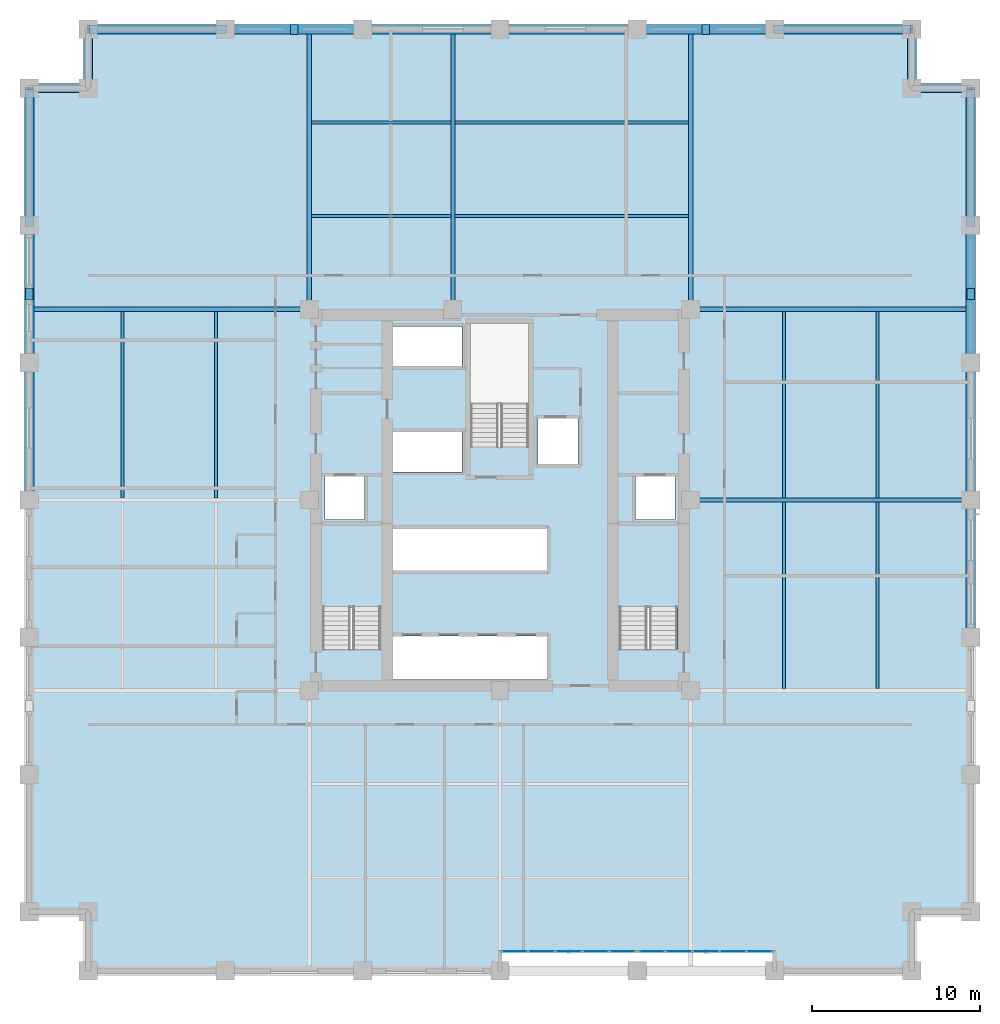
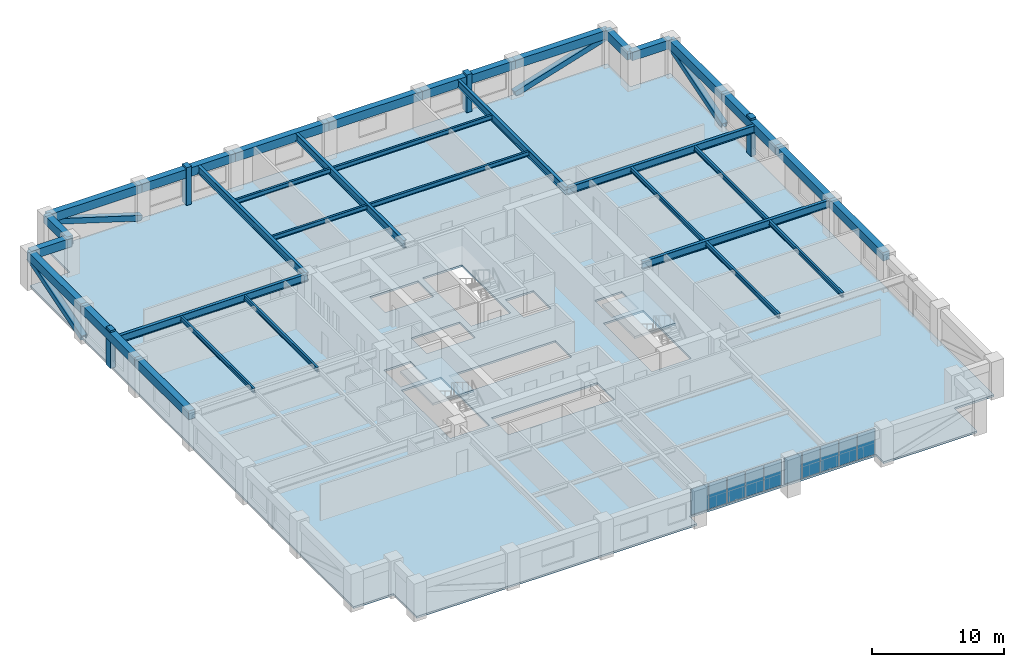
# One storey, part 5 of 13: 33 beams, 10 plates, 8 members, 3 slabs, 4 elements without a shape of their own.
"""IFC4 building model written with IfcOpenShell, lengths in metres."""

import ifcopenshell
import ifcopenshell.guid

model = None  # the IFC model being written
_history = None  # IfcOwnerHistory: only IFC2X3 demands one
_inside = {}  # id of a spatial element -> (the spatial element, [elements in it])
_under = {}  # id of a project, library or spatial element -> (it, [spatial elements below it])
_declared = {}  # id of a project -> (the project, [libraries it declares])
_typed = {}  # id of a type object -> (the type object, [elements of that type])
_made_of = {}  # id of a material, layer set ... -> (it, [elements and type objects made of it])


def new_model(schema):
    """Start an empty IFC model of exactly this schema.

    Asked for "IFC4X3", IfcOpenShell would pick the latest addendum, in which some entities
    have other attributes; the version numbers below select the first issue.
    IFC2X3 requires an IfcOwnerHistory on every rooted entity: one is made here for all.
    """
    global model, _history
    if schema == "IFC4X3":
        model = ifcopenshell.file(schema_version=(4, 3, 0, 0))
    else:
        model = ifcopenshell.file(schema=schema)
    _inside.clear()
    _under.clear()
    _declared.clear()
    _typed.clear()
    _made_of.clear()
    _history = None
    if model.schema == "IFC2X3":
        org = make("IfcOrganization", Name="unknown")
        user = make(
            "IfcPersonAndOrganization",
            ThePerson=make("IfcPerson", FamilyName="unknown"),
            TheOrganization=org,
        )
        app = make(
            "IfcApplication",
            ApplicationDeveloper=org,
            Version="unknown",
            ApplicationFullName="unknown",
            ApplicationIdentifier="unknown",
        )
        _history = make(
            "IfcOwnerHistory",
            OwningUser=user,
            OwningApplication=app,
            ChangeAction="ADDED",
            CreationDate=0,
        )
    return model


def make(cls, **values):
    """One entity of the class cls with the attributes given. An attribute that is None is left unset."""
    return model.create_entity(
        cls, **{name: value for name, value in values.items() if value is not None}
    )


def rooted(cls, **values):
    """An entity with a GlobalId (a new one), such as an element, a storey or a relation."""
    return make(cls, GlobalId=ifcopenshell.guid.new(), OwnerHistory=_history, **values)


def si_unit(unit_type, name, prefix=None):
    """IfcSIUnit, for example si_unit("LENGTHUNIT", "METRE", prefix="MILLI")."""
    return make("IfcSIUnit", UnitType=unit_type, Prefix=prefix, Name=name)


def assignment(units):
    """IfcUnitAssignment: the units of a project."""
    return None if units is None else make("IfcUnitAssignment", Units=units)


def point(xyz):
    """IfcCartesianPoint."""
    return None if xyz is None else make("IfcCartesianPoint", Coordinates=xyz)


def direction(xyz):
    """IfcDirection."""
    return None if xyz is None else make("IfcDirection", DirectionRatios=xyz)


def frame(location, z_axis=None, x_axis=None):
    """IfcAxis2Placement3D, a coordinate frame: its origin and axes. An axis left out is left unset."""
    return make(
        "IfcAxis2Placement3D",
        Location=point(location),
        Axis=direction(z_axis),
        RefDirection=direction(x_axis),
    )


def frame_2d(location, x_axis=None):
    """IfcAxis2Placement2D, a coordinate frame in the plane: its origin and x axis."""
    return make(
        "IfcAxis2Placement2D", Location=point(location), RefDirection=direction(x_axis)
    )


def origin():
    """The frame at (0, 0, 0) with its axes left unset."""
    return frame((0.0, 0.0, 0.0))


def origin_2d():
    """The frame at (0, 0) in the plane with its x axis left unset."""
    return frame_2d((0.0, 0.0))


def place(relative_to, where):
    """IfcLocalPlacement: puts the frame where relative to a parent placement (None: the world)."""
    return make(
        "IfcLocalPlacement", PlacementRelTo=relative_to, RelativePlacement=where
    )


def context(
    kind, dimensions, precision=None, world=None, true_north=None, identifier=None
):
    """IfcGeometricRepresentationContext, for example the 3D "Model" context."""
    return make(
        "IfcGeometricRepresentationContext",
        ContextIdentifier=identifier,
        ContextType=kind,
        CoordinateSpaceDimension=dimensions,
        Precision=precision,
        WorldCoordinateSystem=world,
        TrueNorth=true_north,
    )


def subcontext(parent, identifier, kind, view, scale=None):
    """IfcGeometricRepresentationSubContext, for example "Body" below "Model"."""
    return make(
        "IfcGeometricRepresentationSubContext",
        ContextIdentifier=identifier,
        ContextType=kind,
        ParentContext=parent,
        TargetScale=scale,
        TargetView=view,
    )


def project(units=None, contexts=None):
    """IfcProject with its units and contexts."""
    return rooted(
        "IfcProject",
        Name="project",
        RepresentationContexts=contexts,
        UnitsInContext=assignment(units),
    )


def spatial(cls, under=None, at=None, **own):
    """A site, building, storey or space (cls), placed at a placement, below another one or the project."""
    s = rooted(cls, ObjectPlacement=at, **own)
    if under is not None:
        _under.setdefault(under.id(), (under, []))[1].append(s)
    return s


def polyline(points):
    """IfcPolyline through the points."""
    return make("IfcPolyline", Points=[point(p) for p in points])


def profile(cls, at=None, kind="AREA", **sizes):
    """A parametric profile (cls). Its sizes go by their IFC names, for example OverallWidth=200.0."""
    return make(cls, ProfileType=kind, Position=at, **sizes)


def rectangle(**sizes):
    """IfcRectangleProfileDef."""
    return profile("IfcRectangleProfileDef", **sizes)


def hollow_rectangle(**sizes):
    """IfcRectangleHollowProfileDef."""
    return profile("IfcRectangleHollowProfileDef", **sizes)


def i_section(**sizes):
    """IfcIShapeProfileDef."""
    return profile("IfcIShapeProfileDef", **sizes)


def outline(outer, holes=None, kind="AREA"):
    """IfcArbitraryClosedProfileDef: a profile drawn as a closed curve; with holes, ...WithVoids."""
    if holes is None:
        return make("IfcArbitraryClosedProfileDef", ProfileType=kind, OuterCurve=outer)
    return make(
        "IfcArbitraryProfileDefWithVoids",
        ProfileType=kind,
        OuterCurve=outer,
        InnerCurves=holes,
    )


def extrude(swept, where, along, depth):
    """IfcExtrudedAreaSolid: the profile swept, set in the frame where, extruded along a direction by depth."""
    return make(
        "IfcExtrudedAreaSolid",
        SweptArea=swept,
        Position=where,
        ExtrudedDirection=direction(along),
        Depth=depth,
    )


def shape(context_of_items, identifier, shape_type, items):
    """IfcShapeRepresentation: the items that make up one representation, for example the "Body"."""
    return make(
        "IfcShapeRepresentation",
        ContextOfItems=context_of_items,
        RepresentationIdentifier=identifier,
        RepresentationType=shape_type,
        Items=items,
    )


def material(Name=None, Category=None):
    """IfcMaterial."""
    return make("IfcMaterial", Name=Name, Category=Category)


def layer(
    of_material, thickness, ventilated=None, Name=None, Category=None, Priority=None
):
    """IfcMaterialLayer: one layer of a wall or slab, of a material (None: an air gap)."""
    return make(
        "IfcMaterialLayer",
        Material=of_material,
        LayerThickness=thickness,
        IsVentilated=ventilated,
        Name=Name,
        Category=Category,
        Priority=Priority,
    )


def layer_set(layers, Name=None):
    """IfcMaterialLayerSet."""
    return make("IfcMaterialLayerSet", MaterialLayers=layers, LayerSetName=Name)


def material_profile(
    of_material, cross_section, Name=None, Category=None, Priority=None
):
    """IfcMaterialProfile: a cross section and its material."""
    return make(
        "IfcMaterialProfile",
        Name=Name,
        Material=of_material,
        Profile=cross_section,
        Priority=Priority,
        Category=Category,
    )


def profile_set(profiles, Name=None, composite=None):
    """IfcMaterialProfileSet."""
    return make(
        "IfcMaterialProfileSet",
        Name=Name,
        MaterialProfiles=profiles,
        CompositeProfile=composite,
    )


def made_of(thing, what):
    """Note that an element or type object is made of a material, layer set ...; save() writes the relation."""
    if what is not None:
        _made_of.setdefault(what.id(), (what, []))[1].append(thing)
    return thing


def type_object(cls, material=None, **own):
    """A type object (cls), such as IfcWallType, which elements share."""
    return made_of(rooted(cls, **own), material)


def element(
    cls,
    number,
    at=None,
    inside=None,
    cuts=None,
    type_object=None,
    material=None,
    context=None,
    identifier="Body",
    shape_type=None,
    held_by="IfcProductDefinitionShape",
    body=None,
    shapes=None,
    **own,
):
    """One element of the class cls, such as IfcWall. Its Tag is "e" and its number.

    at: its placement. inside: the storey or other place that contains it. cuts: it is an
    opening in that element (IfcRelVoidsElement). A single representation is given by context,
    identifier, shape_type and body (its items); several are given by shapes. held_by: the class
    of the entity that holds the representations. save() writes the other relations.
    """
    e = rooted(cls, Tag="e%d" % number, ObjectPlacement=at, **own)
    if body is not None:
        shapes = [shape(context, identifier, shape_type, body)]
    if shapes is not None:
        e.Representation = make(held_by, Representations=shapes)
    if inside is not None:
        _inside.setdefault(inside.id(), (inside, []))[1].append(e)
    if cuts is not None:
        rooted(
            "IfcRelVoidsElement", RelatingBuildingElement=cuts, RelatedOpeningElement=e
        )
    if type_object is not None:
        _typed.setdefault(type_object.id(), (type_object, []))[1].append(e)
    return made_of(e, material)


def aggregate(whole, parts):
    """IfcRelAggregates: a whole, such as a stair, and the parts it consists of."""
    return rooted("IfcRelAggregates", RelatingObject=whole, RelatedObjects=parts)


def save(model, path):
    """Write the relations noted so far, then the file.

    IfcRelAggregates (storeys below a building ...), IfcRelContainedInSpatialStructure (elements
    in a storey), IfcRelDefinesByType, IfcRelAssociatesMaterial and IfcRelDeclares: one each for
    every whole, place, type object, material and project.
    """
    for whole, parts in _under.values():
        aggregate(whole, parts)
    for where, things in _inside.values():
        rooted(
            "IfcRelContainedInSpatialStructure",
            RelatedElements=things,
            RelatingStructure=where,
        )
    for kind, things in _typed.values():
        rooted("IfcRelDefinesByType", RelatedObjects=things, RelatingType=kind)
    for what, things in _made_of.values():
        rooted("IfcRelAssociatesMaterial", RelatedObjects=things, RelatingMaterial=what)
    for by, libraries in _declared.values():
        rooted("IfcRelDeclares", RelatingContext=by, RelatedDefinitions=libraries)
    model.write(path)


model = new_model("IFC4")

# Units and contexts
model_context = context("Model", 3, precision=1e-05, world=origin(), true_north=direction((0.0, 1.0)))
body_context = subcontext(model_context, "Body", "Model", "MODEL_VIEW")
ifc_project = project(units=[si_unit("LENGTHUNIT", "METRE"), si_unit("AREAUNIT", "SQUARE_METRE"), si_unit("VOLUMEUNIT", "CUBIC_METRE"), si_unit("PLANEANGLEUNIT", "RADIAN"), si_unit("MASSUNIT", "GRAM", prefix="KILO")], contexts=[model_context])

# Site, building, storey
site_placement = place(None, origin())
site = spatial("IfcSite", under=ifc_project, at=site_placement, CompositionType="ELEMENT")
building_placement = place(site_placement, origin())
building = spatial("IfcBuilding", under=site, at=building_placement, Name="Nhamokura Convention Tower", CompositionType="ELEMENT")
storey_placement = place(building_placement, frame((0.0, 0.0, 63.35009765625)))
storey = spatial("IfcBuildingStorey", under=building, at=storey_placement, Name="L14", CompositionType="ELEMENT", Elevation=63.35009765625)

# Members
ifc_material_1 = material(Name="Bronze-pigmented precast concrete C45/55", Category="concrete")
ifc_material_profile_1 = material_profile(ifc_material_1, rectangle(XDim=0.449951171875, YDim=0.64990234375, at=origin_2d()))
ifc_profile_set_1 = profile_set([ifc_material_profile_1], Name="Bronze-pigmented precast concrete C45/55")
member_type_1 = type_object("IfcMemberType", Name="BronzePilaster_650", PredefinedType="USERDEFINED", material=ifc_profile_set_1)
for number, where, z_axis, x_axis, name in (
    (1, (19.75, 60.0, 0.0), (0.0, 0.0, 1.0), (1.0, 0.0, 0.0), "L14 Engaged Frame Pilaster NORTH 1"),
    (2, (44.25, 60.0, 0.0), (0.0, 0.0, 1.0), (1.0, 0.0, 0.0), "L14 Engaged Frame Pilaster NORTH 4"),
    (3, (4.0, 44.25, 0.0), (0.0, 0.0, 1.0), (1.0, 0.0, 0.0), "L14 Engaged Frame Pilaster WEST 4"),
    (4, (60.0, 44.25, 0.0), (0.0, 0.0, 1.0), (1.0, 0.0, 0.0), "L14 Engaged Frame Pilaster EAST 4"),
):
    element("IfcMember", number, at=place(storey_placement, frame(where, z_axis=z_axis, x_axis=x_axis)), inside=storey, type_object=member_type_1, Name=name, ObjectType="PILASTER_TRIM", PredefinedType="USERDEFINED", context=body_context, shape_type="SweptSolid", body=[
        extrude(rectangle(XDim=0.449951171875, YDim=0.64990234375, at=origin_2d()), origin(), (0.0, 0.0, 1.0), 3.5),
    ])

# Beams
ifc_material_2 = material(Name="Steel ASTM A992 Gr 50", Category="steel")
ifc_material_profile_2 = material_profile(ifc_material_2, i_section(OverallWidth=0.178955078125, OverallDepth=0.409912109375, WebThickness=0.0087890625, FlangeThickness=0.014404296875, at=origin_2d()))
ifc_profile_set_2 = profile_set([ifc_material_profile_2], Name="Steel ASTM A992 Gr 50")
beam_type_1 = type_object("IfcBeamType", Name="FloorJoist_W410X67", PredefinedType="JOIST", material=ifc_profile_set_2)
beam_1_placement = place(storey_placement, frame((20.77587890625, 48.89990234375, 3.114990234375), z_axis=(1.0, 0.0, 0.0), x_axis=(0.0, 1.0, 0.0)))
element("IfcBeam", 5, at=beam_1_placement, inside=storey, type_object=beam_type_1, Name="L14 Composite Floor Joist N1A", PredefinedType="JOIST", context=body_context, shape_type="SweptSolid", body=[
    extrude(i_section(OverallWidth=0.178955078125, OverallDepth=0.409912109375, WebThickness=0.0087890625, FlangeThickness=0.014404296875, at=origin_2d()), origin(), (0.0, 0.0, 1.0), 8.298095703125),
])
beam_2_placement = place(storey_placement, frame((29.325927734375, 48.89990234375, 3.114990234375), z_axis=(1.0, 0.0, 0.0), x_axis=(0.0, 1.0, 0.0)))
element("IfcBeam", 6, at=beam_2_placement, inside=storey, type_object=beam_type_1, Name="L14 Composite Floor Joist N1B", PredefinedType="JOIST", context=body_context, shape_type="SweptSolid", body=[
    extrude(i_section(OverallWidth=0.178955078125, OverallDepth=0.409912109375, WebThickness=0.0087890625, FlangeThickness=0.014404296875, at=origin_2d()), origin(), (0.0, 0.0, 1.0), 13.898193359375),
])
beam_3_placement = place(storey_placement, frame((20.77587890625, 54.449951171875, 3.114990234375), z_axis=(1.0, 0.0, 0.0), x_axis=(0.0, 1.0, 0.0)))
element("IfcBeam", 7, at=beam_3_placement, inside=storey, type_object=beam_type_1, Name="L14 Composite Floor Joist N2A", PredefinedType="JOIST", context=body_context, shape_type="SweptSolid", body=[
    extrude(i_section(OverallWidth=0.178955078125, OverallDepth=0.409912109375, WebThickness=0.0087890625, FlangeThickness=0.014404296875, at=origin_2d()), origin(), (0.0, 0.0, 1.0), 8.298095703125),
])
beam_4_placement = place(storey_placement, frame((29.325927734375, 54.449951171875, 3.114990234375), z_axis=(1.0, 0.0, 0.0), x_axis=(0.0, 1.0, 0.0)))
element("IfcBeam", 8, at=beam_4_placement, inside=storey, type_object=beam_type_1, Name="L14 Composite Floor Joist N2B", PredefinedType="JOIST", context=body_context, shape_type="SweptSolid", body=[
    extrude(i_section(OverallWidth=0.178955078125, OverallDepth=0.409912109375, WebThickness=0.0087890625, FlangeThickness=0.014404296875, at=origin_2d()), origin(), (0.0, 0.0, 1.0), 13.898193359375),
])
for number, where, z_axis, x_axis, name in (
    (9, (9.550048828125, 32.1259765625, 3.114990234375), (0.0, 1.0, 0.0), (-1.0, 0.0, 0.0), "L14 Composite Floor Joist W1B"),
    (10, (15.10009765625, 32.1259765625, 3.114990234375), (0.0, 1.0, 0.0), (-1.0, 0.0, 0.0), "L14 Composite Floor Joist W2B"),
    (11, (48.89990234375, 20.77587890625, 3.114990234375), (0.0, 1.0, 0.0), (-1.0, 0.0, 0.0), "L14 Composite Floor Joist E1A"),
    (12, (48.89990234375, 32.1259765625, 3.114990234375), (0.0, 1.0, 0.0), (-1.0, 0.0, 0.0), "L14 Composite Floor Joist E1B"),
    (13, (54.449951171875, 20.77587890625, 3.114990234375), (0.0, 1.0, 0.0), (-1.0, 0.0, 0.0), "L14 Composite Floor Joist E2A"),
    (14, (54.449951171875, 32.1259765625, 3.114990234375), (0.0, 1.0, 0.0), (-1.0, 0.0, 0.0), "L14 Composite Floor Joist E2B"),
):
    element("IfcBeam", number, at=place(storey_placement, frame(where, z_axis=z_axis, x_axis=x_axis)), inside=storey, type_object=beam_type_1, Name=name, PredefinedType="JOIST", context=body_context, shape_type="SweptSolid", body=[
        extrude(i_section(OverallWidth=0.178955078125, OverallDepth=0.409912109375, WebThickness=0.0087890625, FlangeThickness=0.014404296875, at=origin_2d()), origin(), (0.0, 0.0, 1.0), 11.09814453125),
    ])
ifc_material_3 = material(Name="Steel ASTM A992 Gr 50", Category="steel")
ifc_material_profile_3 = material_profile(ifc_material_3, i_section(OverallWidth=0.256103515625, OverallDepth=0.693115234375, WebThickness=0.014404296875, FlangeThickness=0.023681640625, at=origin_2d()))
ifc_profile_set_3 = profile_set([ifc_material_profile_3], Name="Steel ASTM A992 Gr 50")
beam_type_2 = type_object("IfcBeamType", Name="PrimaryGirder_W690X170", PredefinedType="BEAM", material=ifc_profile_set_3)
for number, where, z_axis, x_axis, name in (
    (15, (20.64990234375, 43.35009765625, 2.973388671875), (0.0, 1.0, 0.0), (-1.0, 0.0, 0.0), "L14 Primary Floor Girder PG-N1"),
    (16, (29.199951171875, 43.35009765625, 2.973388671875), (0.0, 1.0, 0.0), (-1.0, 0.0, 0.0), "L14 Primary Floor Girder PG-N2"),
    (17, (43.35009765625, 43.35009765625, 2.973388671875), (0.0, 1.0, 0.0), (-1.0, 0.0, 0.0), "L14 Primary Floor Girder PG-N3"),
    (18, (4.0, 43.35009765625, 2.973388671875), (1.0, 0.0, 0.0), (0.0, 1.0, 0.0), "L14 Primary Floor Girder PG-W3"),
    (19, (43.35009765625, 32.0, 2.973388671875), (1.0, 0.0, 0.0), (0.0, 1.0, 0.0), "L14 Primary Floor Girder PG-E2"),
    (20, (43.35009765625, 43.35009765625, 2.973388671875), (1.0, 0.0, 0.0), (0.0, 1.0, 0.0), "L14 Primary Floor Girder PG-E3"),
):
    element("IfcBeam", number, at=place(storey_placement, frame(where, z_axis=z_axis, x_axis=x_axis)), inside=storey, type_object=beam_type_2, Name=name, PredefinedType="BEAM", context=body_context, shape_type="SweptSolid", body=[
        extrude(i_section(OverallWidth=0.256103515625, OverallDepth=0.693115234375, WebThickness=0.014404296875, FlangeThickness=0.023681640625, at=origin_2d()), origin(), (0.0, 0.0, 1.0), 16.64990234375),
    ])

# Members
ifc_material_4 = material(Name="Steel ASTM A572 Gr 50", Category="steel")
ifc_material_profile_4 = material_profile(ifc_material_4, hollow_rectangle(XDim=0.5, YDim=0.5, WallThickness=0.02490234375, at=origin_2d()))
ifc_profile_set_4 = profile_set([ifc_material_profile_4], Name="Steel ASTM A572 Gr 50")
member_type_2 = type_object("IfcMemberType", Name="TubeBrace_HSS500", PredefinedType="BRACE", material=ifc_profile_set_4)
for number, where, z_axis, x_axis, name in (
    (21, (15.666748046875, 60.0, 0.14990234375), (-0.955542765986, 0.0, 0.294852543437), (0.0, -1.0, 0.0), "L14 Perimeter Tube Brace NORTH Bay 0"),
    (22, (48.333251953125, 60.0, 0.14990234375), (0.955542765986, 0.0, 0.294852543437), (0.0, 1.0, 0.0), "L14 Perimeter Tube Brace NORTH Bay 5"),
    (23, (4.0, 48.333251953125, 0.14990234375), (0.0, 0.955542765986, 0.294852543437), (-1.0, 0.0, 0.0), "L14 Perimeter Tube Brace WEST Bay 5"),
    (24, (60.0, 48.333251953125, 0.14990234375), (0.0, 0.955542765986, 0.294852543437), (-1.0, 0.0, 0.0), "L14 Perimeter Tube Brace EAST Bay 5"),
):
    element("IfcMember", number, at=place(storey_placement, frame(where, z_axis=z_axis, x_axis=x_axis)), inside=storey, type_object=member_type_2, Name=name, PredefinedType="BRACE", context=body_context, shape_type="SweptSolid", body=[
        extrude(hollow_rectangle(XDim=0.5, YDim=0.5, WallThickness=0.02490234375, at=origin_2d()), origin(), (0.0, 0.0, 1.0), 8.546630859375),
    ])

# Beams
ifc_material_5 = material(Name="Concrete C50/60", Category="concrete")
ifc_material_profile_5 = material_profile(ifc_material_5, rectangle(XDim=0.550048828125, YDim=0.800048828125, at=origin_2d()))
ifc_profile_set_5 = profile_set([ifc_material_profile_5], Name="Concrete C50/60")
beam_type_3 = type_object("IfcBeamType", Name="TubeSpandrel_800", PredefinedType="SPANDREL", material=ifc_profile_set_5)
beam_5_placement = place(storey_placement, frame((7.5, 60.0, 2.919921875), z_axis=(1.0, 0.0, 0.0), x_axis=(0.0, 1.0, 0.0)))
element("IfcBeam", 25, at=beam_5_placement, inside=storey, type_object=beam_type_3, Name="L14 Perimeter Spandrel NORTH 1", PredefinedType="SPANDREL", context=body_context, shape_type="SweptSolid", body=[
    extrude(rectangle(XDim=0.550048828125, YDim=0.800048828125, at=origin_2d()), origin(), (0.0, 0.0, 1.0), 8.166748046875),
])
beam_6_placement = place(storey_placement, frame((15.666748046875, 60.0, 2.919921875), z_axis=(1.0, 0.0, 0.0), x_axis=(0.0, 1.0, 0.0)))
element("IfcBeam", 26, at=beam_6_placement, inside=storey, type_object=beam_type_3, Name="L14 Perimeter Spandrel NORTH 2", PredefinedType="SPANDREL", context=body_context, shape_type="SweptSolid", body=[
    extrude(rectangle(XDim=0.550048828125, YDim=0.800048828125, at=origin_2d()), origin(), (0.0, 0.0, 1.0), 8.16650390625),
])
for number, where, z_axis, x_axis, name in (
    (27, (23.833251953125, 60.0, 2.919921875), (1.0, 0.0, 0.0), (0.0, 1.0, 0.0), "L14 Perimeter Spandrel NORTH 3"),
    (28, (32.0, 60.0, 2.919921875), (1.0, 0.0, 0.0), (0.0, 1.0, 0.0), "L14 Perimeter Spandrel NORTH 4"),
):
    element("IfcBeam", number, at=place(storey_placement, frame(where, z_axis=z_axis, x_axis=x_axis)), inside=storey, type_object=beam_type_3, Name=name, PredefinedType="SPANDREL", context=body_context, shape_type="SweptSolid", body=[
        extrude(rectangle(XDim=0.550048828125, YDim=0.800048828125, at=origin_2d()), origin(), (0.0, 0.0, 1.0), 8.166748046875),
    ])
beam_7_placement = place(storey_placement, frame((40.166748046875, 60.0, 2.919921875), z_axis=(1.0, 0.0, 0.0), x_axis=(0.0, 1.0, 0.0)))
element("IfcBeam", 29, at=beam_7_placement, inside=storey, type_object=beam_type_3, Name="L14 Perimeter Spandrel NORTH 5", PredefinedType="SPANDREL", context=body_context, shape_type="SweptSolid", body=[
    extrude(rectangle(XDim=0.550048828125, YDim=0.800048828125, at=origin_2d()), origin(), (0.0, 0.0, 1.0), 8.16650390625),
])
for number, where, z_axis, x_axis, name in (
    (30, (48.333251953125, 60.0, 2.919921875), (1.0, 0.0, 0.0), (0.0, 1.0, 0.0), "L14 Perimeter Spandrel NORTH 6"),
    (31, (4.0, 32.0, 2.919921875), (0.0, 1.0, 0.0), (-1.0, 0.0, 0.0), "L14 Perimeter Spandrel WEST 4"),
):
    element("IfcBeam", number, at=place(storey_placement, frame(where, z_axis=z_axis, x_axis=x_axis)), inside=storey, type_object=beam_type_3, Name=name, PredefinedType="SPANDREL", context=body_context, shape_type="SweptSolid", body=[
        extrude(rectangle(XDim=0.550048828125, YDim=0.800048828125, at=origin_2d()), origin(), (0.0, 0.0, 1.0), 8.166748046875),
    ])
beam_8_placement = place(storey_placement, frame((4.0, 40.166748046875, 2.919921875), z_axis=(0.0, 1.0, 0.0), x_axis=(-1.0, 0.0, 0.0)))
element("IfcBeam", 32, at=beam_8_placement, inside=storey, type_object=beam_type_3, Name="L14 Perimeter Spandrel WEST 5", PredefinedType="SPANDREL", context=body_context, shape_type="SweptSolid", body=[
    extrude(rectangle(XDim=0.550048828125, YDim=0.800048828125, at=origin_2d()), origin(), (0.0, 0.0, 1.0), 8.16650390625),
])
for number, where, z_axis, x_axis, name in (
    (33, (4.0, 48.333251953125, 2.919921875), (0.0, 1.0, 0.0), (-1.0, 0.0, 0.0), "L14 Perimeter Spandrel WEST 6"),
    (34, (60.0, 23.833251953125, 2.919921875), (0.0, 1.0, 0.0), (-1.0, 0.0, 0.0), "L14 Perimeter Spandrel EAST 3"),
    (35, (60.0, 32.0, 2.919921875), (0.0, 1.0, 0.0), (-1.0, 0.0, 0.0), "L14 Perimeter Spandrel EAST 4"),
):
    element("IfcBeam", number, at=place(storey_placement, frame(where, z_axis=z_axis, x_axis=x_axis)), inside=storey, type_object=beam_type_3, Name=name, PredefinedType="SPANDREL", context=body_context, shape_type="SweptSolid", body=[
        extrude(rectangle(XDim=0.550048828125, YDim=0.800048828125, at=origin_2d()), origin(), (0.0, 0.0, 1.0), 8.166748046875),
    ])
beam_9_placement = place(storey_placement, frame((60.0, 40.166748046875, 2.919921875), z_axis=(0.0, 1.0, 0.0), x_axis=(-1.0, 0.0, 0.0)))
element("IfcBeam", 36, at=beam_9_placement, inside=storey, type_object=beam_type_3, Name="L14 Perimeter Spandrel EAST 5", PredefinedType="SPANDREL", context=body_context, shape_type="SweptSolid", body=[
    extrude(rectangle(XDim=0.550048828125, YDim=0.800048828125, at=origin_2d()), origin(), (0.0, 0.0, 1.0), 8.16650390625),
])
beam_10_placement = place(storey_placement, frame((60.0, 48.333251953125, 2.919921875), z_axis=(0.0, 1.0, 0.0), x_axis=(-1.0, 0.0, 0.0)))
element("IfcBeam", 37, at=beam_10_placement, inside=storey, type_object=beam_type_3, Name="L14 Perimeter Spandrel EAST 6", PredefinedType="SPANDREL", context=body_context, shape_type="SweptSolid", body=[
    extrude(rectangle(XDim=0.550048828125, YDim=0.800048828125, at=origin_2d()), origin(), (0.0, 0.0, 1.0), 8.166748046875),
])
for number, where, z_axis, x_axis, name in (
    (38, (60.0, 56.5, 2.919921875), (-1.0, 0.0, 0.0), (0.0, -1.0, 0.0), "L14 Notch Spandrel NE1"),
    (39, (56.5, 56.5, 2.919921875), (0.0, 1.0, 0.0), (-1.0, 0.0, 0.0), "L14 Notch Spandrel NE2"),
    (40, (7.5, 60.0, 2.919921875), (0.0, -1.0, 0.0), (1.0, 0.0, 0.0), "L14 Notch Spandrel NW1"),
    (41, (7.5, 56.5, 2.919921875), (-1.0, 0.0, 0.0), (0.0, -1.0, 0.0), "L14 Notch Spandrel NW2"),
):
    element("IfcBeam", number, at=place(storey_placement, frame(where, z_axis=z_axis, x_axis=x_axis)), inside=storey, type_object=beam_type_3, Name=name, PredefinedType="SPANDREL", context=body_context, shape_type="SweptSolid", body=[
        extrude(rectangle(XDim=0.550048828125, YDim=0.800048828125, at=origin_2d()), origin(), (0.0, 0.0, 1.0), 3.5),
    ])

# Curtain wall, plates
ifc_material_6 = material(Name="Anodised bronze aluminium AA6063-T6", Category="aluminium")
ifc_layer_1 = layer(ifc_material_6, 0.1650390625)
ifc_layer_set_1 = layer_set([ifc_layer_1], Name="CWSystem_ScaleSlot_Zone1")
curtain_wall_type = type_object("IfcCurtainWallType", Name="CWSystem_ScaleSlot_Zone1", PredefinedType="NOTDEFINED", material=ifc_layer_set_1)
curtain_wall_1_placement = place(storey_placement, origin())
curtain_wall_1 = element("IfcCurtainWall", 42, at=curtain_wall_1_placement, inside=storey, type_object=curtain_wall_type, Name="L14 Curtain Wall ENV-L14-SLOT-S3", PredefinedType="NOTDEFINED")
ifc_material_7 = material(Name="Solar-control bronze low-E double glass", Category="glass")
ifc_layer_2 = layer(ifc_material_7, 0.031982421875)
ifc_layer_set_2 = layer_set([ifc_layer_2], Name="CWGlazedPanel_1")
plate_type = type_object("IfcPlateType", Name="CWGlazedPanel_1", PredefinedType="CURTAIN_PANEL", material=ifc_layer_set_2)
plate_1_placement = place(storey_placement, frame((39.285888671875, 5.14990234375, 0.06494140625), z_axis=(0.0, 0.0, 1.0), x_axis=(-1.0, 0.0, 0.0)))
plate_1 = element("IfcPlate", 43, at=plate_1_placement, type_object=plate_type, Name="CW-03 panel 1.1", PredefinedType="CURTAIN_PANEL", context=body_context, shape_type="SweptSolid", body=[
    extrude(rectangle(XDim=1.51171875, YDim=0.031982421875, at=origin_2d()), origin(), (0.0, 0.0, 1.0), 2.389892578125),
])
plate_2_placement = place(storey_placement, frame((37.692626953125, 5.14990234375, 0.06494140625), z_axis=(0.0, 0.0, 1.0), x_axis=(-1.0, 0.0, 0.0)))
plate_2 = element("IfcPlate", 44, at=plate_2_placement, type_object=plate_type, Name="CW-03 panel 2.1", PredefinedType="CURTAIN_PANEL", context=body_context, shape_type="SweptSolid", body=[
    extrude(rectangle(XDim=1.54443359375, YDim=0.031982421875, at=origin_2d()), origin(), (0.0, 0.0, 1.0), 2.389892578125),
])
plate_3_placement = place(storey_placement, frame((36.083251953125, 5.14990234375, 0.06494140625), z_axis=(0.0, 0.0, 1.0), x_axis=(-1.0, 0.0, 0.0)))
plate_3 = element("IfcPlate", 45, at=plate_3_placement, type_object=plate_type, Name="CW-03 panel 3.1", PredefinedType="CURTAIN_PANEL", context=body_context, shape_type="SweptSolid", body=[
    extrude(rectangle(XDim=1.54443359375, YDim=0.031982421875, at=origin_2d()), origin(), (0.0, 0.0, 1.0), 2.389892578125),
])
plate_4_placement = place(storey_placement, frame((34.47412109375, 5.14990234375, 0.06494140625), z_axis=(0.0, 0.0, 1.0), x_axis=(-1.0, 0.0, 0.0)))
plate_4 = element("IfcPlate", 46, at=plate_4_placement, type_object=plate_type, Name="CW-03 panel 4.1", PredefinedType="CURTAIN_PANEL", context=body_context, shape_type="SweptSolid", body=[
    extrude(rectangle(XDim=1.54443359375, YDim=0.031982421875, at=origin_2d()), origin(), (0.0, 0.0, 1.0), 2.389892578125),
])
plate_5_placement = place(storey_placement, frame((32.880859375, 5.14990234375, 0.06494140625), z_axis=(0.0, 0.0, 1.0), x_axis=(-1.0, 0.0, 0.0)))
plate_5 = element("IfcPlate", 47, at=plate_5_placement, type_object=plate_type, Name="CW-03 panel 5.1", PredefinedType="CURTAIN_PANEL", context=body_context, shape_type="SweptSolid", body=[
    extrude(rectangle(XDim=1.51171875, YDim=0.031982421875, at=origin_2d()), origin(), (0.0, 0.0, 1.0), 2.389892578125),
])
aggregate(curtain_wall_1, [plate_1, plate_2, plate_3, plate_4, plate_5])

curtain_wall_2_placement = place(storey_placement, origin())
curtain_wall_2 = element("IfcCurtainWall", 48, at=curtain_wall_2_placement, inside=storey, type_object=curtain_wall_type, Name="L14 Curtain Wall ENV-L14-SLOT-S4", PredefinedType="NOTDEFINED")
plate_6_placement = place(storey_placement, frame((47.452392578125, 5.14990234375, 0.06494140625), z_axis=(0.0, 0.0, 1.0), x_axis=(-1.0, 0.0, 0.0)))
plate_6 = element("IfcPlate", 49, at=plate_6_placement, type_object=plate_type, Name="CW-03 panel 1.1", PredefinedType="CURTAIN_PANEL", context=body_context, shape_type="SweptSolid", body=[
    extrude(rectangle(XDim=1.51171875, YDim=0.031982421875, at=origin_2d()), origin(), (0.0, 0.0, 1.0), 2.389892578125),
])
plate_7_placement = place(storey_placement, frame((45.859375, 5.14990234375, 0.06494140625), z_axis=(0.0, 0.0, 1.0), x_axis=(-1.0, 0.0, 0.0)))
plate_7 = element("IfcPlate", 50, at=plate_7_placement, type_object=plate_type, Name="CW-03 panel 2.1", PredefinedType="CURTAIN_PANEL", context=body_context, shape_type="SweptSolid", body=[
    extrude(rectangle(XDim=1.54443359375, YDim=0.031982421875, at=origin_2d()), origin(), (0.0, 0.0, 1.0), 2.389892578125),
])
plate_8_placement = place(storey_placement, frame((44.25, 5.14990234375, 0.06494140625), z_axis=(0.0, 0.0, 1.0), x_axis=(-1.0, 0.0, 0.0)))
plate_8 = element("IfcPlate", 51, at=plate_8_placement, type_object=plate_type, Name="CW-03 panel 3.1", PredefinedType="CURTAIN_PANEL", context=body_context, shape_type="SweptSolid", body=[
    extrude(rectangle(XDim=1.54443359375, YDim=0.031982421875, at=origin_2d()), origin(), (0.0, 0.0, 1.0), 2.389892578125),
])
plate_9_placement = place(storey_placement, frame((42.640625, 5.14990234375, 0.06494140625), z_axis=(0.0, 0.0, 1.0), x_axis=(-1.0, 0.0, 0.0)))
plate_9 = element("IfcPlate", 52, at=plate_9_placement, type_object=plate_type, Name="CW-03 panel 4.1", PredefinedType="CURTAIN_PANEL", context=body_context, shape_type="SweptSolid", body=[
    extrude(rectangle(XDim=1.54443359375, YDim=0.031982421875, at=origin_2d()), origin(), (0.0, 0.0, 1.0), 2.389892578125),
])
plate_10_placement = place(storey_placement, frame((41.047607421875, 5.14990234375, 0.06494140625), z_axis=(0.0, 0.0, 1.0), x_axis=(-1.0, 0.0, 0.0)))
plate_10 = element("IfcPlate", 53, at=plate_10_placement, type_object=plate_type, Name="CW-03 panel 5.1", PredefinedType="CURTAIN_PANEL", context=body_context, shape_type="SweptSolid", body=[
    extrude(rectangle(XDim=1.51171875, YDim=0.031982421875, at=origin_2d()), origin(), (0.0, 0.0, 1.0), 2.389892578125),
])
aggregate(curtain_wall_2, [plate_6, plate_7, plate_8, plate_9, plate_10])

# Slab
ifc_material_8 = material(Name="Concrete C40/50", Category="concrete")
ifc_layer_3 = layer(ifc_material_8, 0.179931640625)
ifc_layer_set_3 = layer_set([ifc_layer_3], Name="HotelFloorSlab_180")
slab_type_1 = type_object("IfcSlabType", Name="HotelFloorSlab_180", PredefinedType="FLOOR", material=ifc_layer_set_3)
slab_1_placement = place(storey_placement, frame((0.0, 0.0, -0.18017578125)))
element("IfcSlab", 54, at=slab_1_placement, inside=storey, type_object=slab_type_1, Name="L14 Structural Floor Slab", PredefinedType="FLOOR", context=body_context, shape_type="SweptSolid", body=[
    extrude(outline(polyline([(7.5, 4.0), (32.0, 4.0), (32.0, 5.14990234375), (48.333251953125, 5.14990234375), (48.333251953125, 4.0), (56.5, 4.0), (56.5, 7.5), (60.0, 7.5), (60.0, 56.5), (56.5, 56.5), (56.5, 60.0), (7.5, 60.0), (7.5, 56.5), (4.0, 56.5), (4.0, 7.5), (7.5, 7.5), (7.5, 4.0)]), holes=[polyline([(24.89990234375, 23.10009765625), (24.89990234375, 30.449951171875), (21.449951171875, 30.449951171875), (21.449951171875, 23.10009765625), (24.89990234375, 23.10009765625)]), polyline([(42.550048828125, 23.10009765625), (42.550048828125, 30.449951171875), (39.10009765625, 30.449951171875), (39.10009765625, 23.10009765625), (42.550048828125, 23.10009765625)]), polyline([(33.699951171875, 35.14990234375), (33.699951171875, 42.5), (30.25, 42.5), (30.25, 35.14990234375), (33.699951171875, 35.14990234375)]), polyline([(21.60009765625, 30.85009765625), (23.949951171875, 30.85009765625), (23.949951171875, 33.39990234375), (21.60009765625, 33.39990234375), (21.60009765625, 30.85009765625)]), polyline([(40.050048828125, 30.85009765625), (42.39990234375, 30.85009765625), (42.39990234375, 33.39990234375), (40.050048828125, 33.39990234375), (40.050048828125, 30.85009765625)]), polyline([(34.25, 34.14990234375), (36.64990234375, 34.14990234375), (36.64990234375, 36.85009765625), (34.25, 36.85009765625), (34.25, 34.14990234375)]), polyline([(25.52001953125, 21.320068359375), (34.800048828125, 21.320068359375), (34.800048828125, 23.89990234375), (25.52001953125, 23.89990234375), (25.52001953125, 21.320068359375)]), polyline([(25.52001953125, 27.800048828125), (34.800048828125, 27.800048828125), (34.800048828125, 30.300048828125), (25.52001953125, 30.300048828125), (25.52001953125, 27.800048828125)]), polyline([(25.52001953125, 33.679931640625), (29.75, 33.679931640625), (29.75, 36.050048828125), (25.52001953125, 36.050048828125), (25.52001953125, 33.679931640625)]), polyline([(25.52001953125, 39.949951171875), (29.75, 39.949951171875), (29.75, 42.320068359375), (25.52001953125, 42.320068359375), (25.52001953125, 39.949951171875)])]), origin(), (0.0, 0.0, 1.0), 0.18017578125),
])

# Stair, slab
ifc_material_9 = material(Name="Concrete C40/50", Category="concrete")
stair_type = type_object("IfcStairType", Name="TowerCoreStair_1650", PredefinedType="HALF_TURN_STAIR", material=ifc_material_9)
stair_1_placement = place(storey_placement, origin())
stair_1 = element("IfcStair", 55, at=stair_1_placement, inside=storey, type_object=stair_type, Name="L14 West Core Smokeproof Stair ST-01", PredefinedType="HALF_TURN_STAIR")
ifc_material_10 = material(Name="Concrete C40/50", Category="concrete")
ifc_layer_4 = layer(ifc_material_10, 0.199951171875)
ifc_layer_set_4 = layer_set([ifc_layer_4], Name="StairLandingSlab_200")
slab_type_2 = type_object("IfcSlabType", Name="StairLandingSlab_200", PredefinedType="LANDING", material=ifc_layer_set_4)
slab_2_placement = place(storey_placement, frame((0.0, 0.0, 1.5498046875)))
slab_2 = element("IfcSlab", 56, at=slab_2_placement, type_object=slab_type_2, Name="ST-01 landing 1", PredefinedType="LANDING", context=body_context, shape_type="SweptSolid", body=[
    extrude(outline(polyline([(24.97998046875, 25.5849609375), (24.97998046875, 30.530029296875), (21.3701171875, 30.530029296875), (21.3701171875, 25.5849609375), (24.97998046875, 25.5849609375)])), origin(), (0.0, 0.0, 1.0), 0.2001953125),
])
aggregate(stair_1, [slab_2])

stair_2_placement = place(storey_placement, origin())
stair_2 = element("IfcStair", 57, at=stair_2_placement, inside=storey, type_object=stair_type, Name="L14 East Core Smokeproof Stair ST-02", PredefinedType="HALF_TURN_STAIR")
slab_3_placement = place(storey_placement, frame((0.0, 0.0, 1.5498046875)))
slab_3 = element("IfcSlab", 58, at=slab_3_placement, type_object=slab_type_2, Name="ST-02 landing 1", PredefinedType="LANDING", context=body_context, shape_type="SweptSolid", body=[
    extrude(outline(polyline([(42.6298828125, 25.5849609375), (42.6298828125, 30.530029296875), (39.02001953125, 30.530029296875), (39.02001953125, 25.5849609375), (42.6298828125, 25.5849609375)])), origin(), (0.0, 0.0, 1.0), 0.2001953125),
])
aggregate(stair_2, [slab_3])

save(model, "model.ifc")
